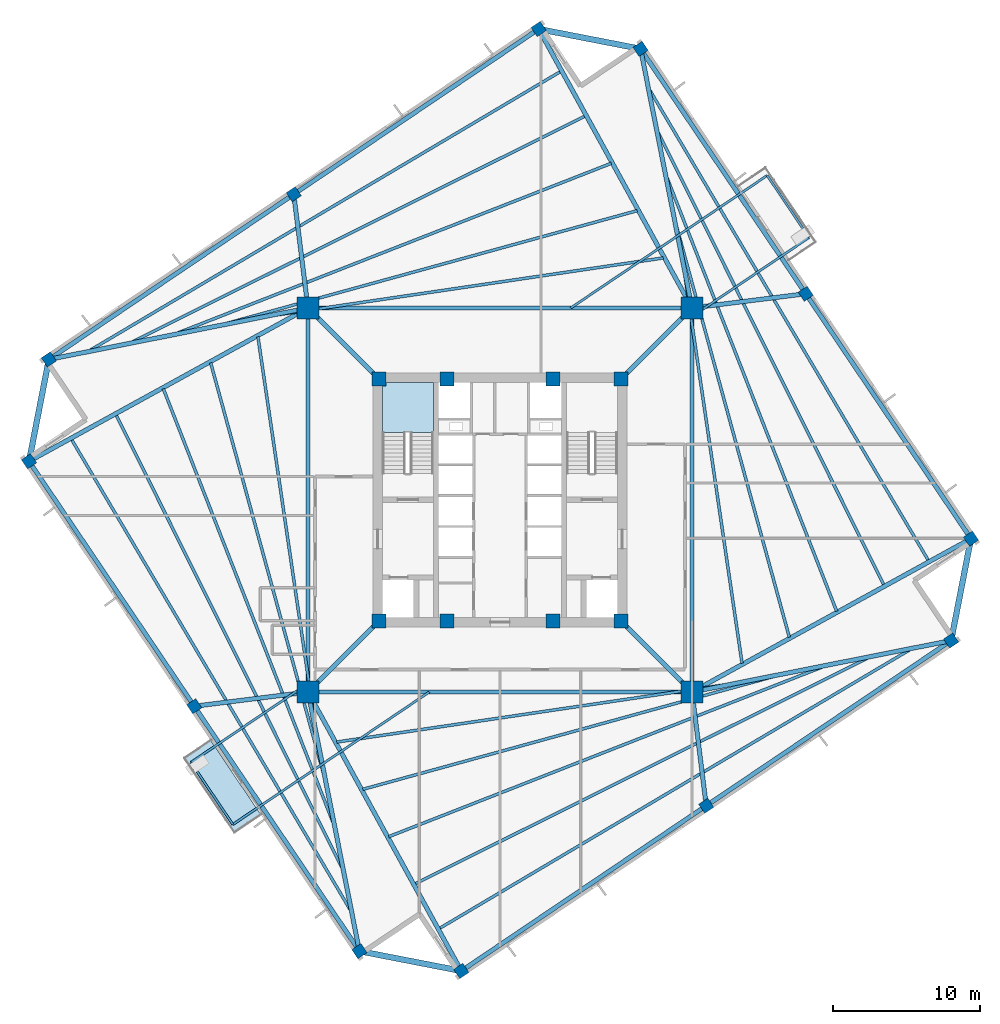
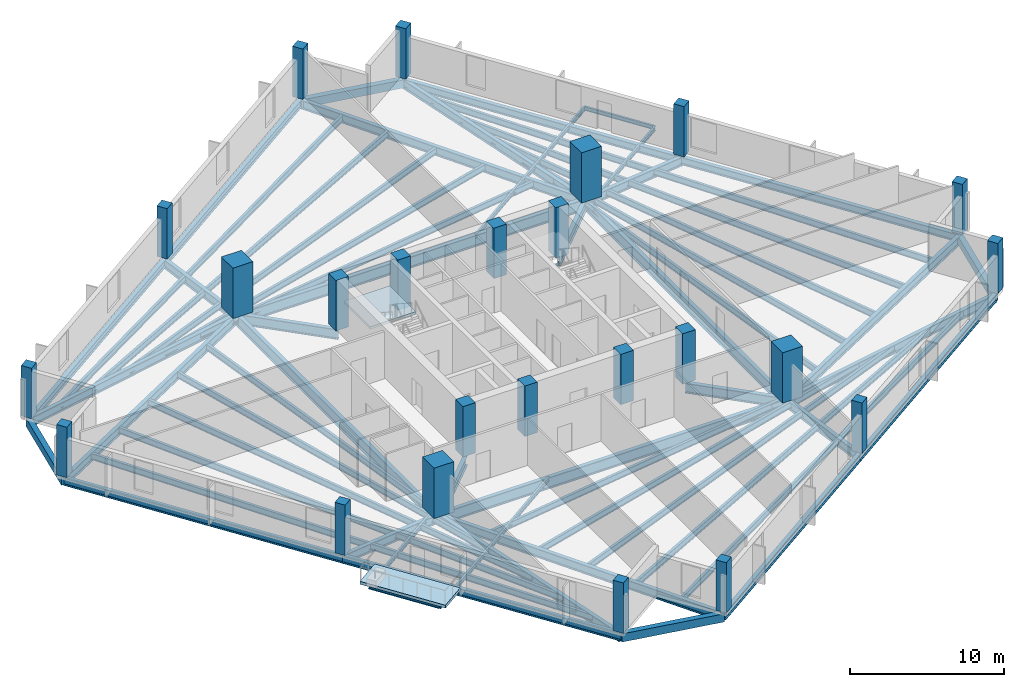
# One storey, part 1 of 9: 58 beams, 24 columns, 2 slabs, 1 element without a shape of its own.
"""IFC4 building model written with IfcOpenShell, lengths in metres."""

from ifc_helpers import new_model, si_unit, direction, frame, origin, origin_2d, place, context, subcontext, project, spatial, polyline, rectangle, i_section, outline, extrude, source, transform, mapped, material, layer, layer_set, material_profile, profile_set, type_object, element, aggregate, save


model = new_model("IFC4")

# Units and contexts
model_context = context("Model", 3, precision=1e-05, world=origin(), true_north=direction((0.0, 1.0)))
body_context = subcontext(model_context, "Body", "Model", "MODEL_VIEW")
ifc_project = project(units=[si_unit("LENGTHUNIT", "METRE"), si_unit("AREAUNIT", "SQUARE_METRE"), si_unit("VOLUMEUNIT", "CUBIC_METRE"), si_unit("PLANEANGLEUNIT", "RADIAN"), si_unit("MASSUNIT", "GRAM", prefix="KILO"), si_unit("THERMODYNAMICTEMPERATUREUNIT", "KELVIN")], contexts=[model_context])

# Site, building, storey
site_placement = place(None, origin())
site = spatial("IfcSite", under=ifc_project, at=site_placement, CompositionType="ELEMENT")
building_placement = place(site_placement, origin())
building = spatial("IfcBuilding", under=site, at=building_placement, Name="Kosmvard Interchange Tower", CompositionType="ELEMENT")
storey_placement = place(building_placement, frame((0.0, 0.0, 192.39990234375)))
storey = spatial("IfcBuildingStorey", under=building, at=storey_placement, Name="L46", CompositionType="ELEMENT", Elevation=192.39990234375)

# Columns
ifc_material_1 = material(Name="Concrete C60/75", Category="concrete")
ifc_material_profile_1 = material_profile(ifc_material_1, rectangle(XDim=0.949951171875, YDim=0.949951171875, at=origin_2d()), Name="CP 950x950")
ifc_profile_set_1 = profile_set([ifc_material_profile_1], Name="Concrete C60/75")
column_type_1 = type_object("IfcColumnType", Name="Core Boundary Pilaster 950x950 C60/75", PredefinedType="PILASTER", material=ifc_profile_set_1)
shared_shape_1 = source(origin(), body_context, "Body", "SweptSolid", [
    extrude(rectangle(XDim=0.949951171875, YDim=0.949951171875, at=origin_2d()), origin(), (0.0, 0.0, 1.0), 4.0),
])
for number, where, z_axis, x_axis, name in (
    (1, (-8.25, -8.25, 0.0), (0.0, 0.0, 1.0), (1.0, 0.0, 0.0), "L46 Core Pilaster CP1"),
    (2, (8.25, -8.25, 0.0), (0.0, 0.0, 1.0), (1.0, 0.0, 0.0), "L46 Core Pilaster CP2"),
    (3, (8.25, 8.25, 0.0), (0.0, 0.0, 1.0), (1.0, 0.0, 0.0), "L46 Core Pilaster CP3"),
    (4, (-8.25, 8.25, 0.0), (0.0, 0.0, 1.0), (1.0, 0.0, 0.0), "L46 Core Pilaster CP4"),
    (5, (-3.60009765625, -8.25, 0.0), (0.0, 0.0, 1.0), (1.0, 0.0, 0.0), "L46 Core Pilaster CP5"),
    (6, (3.60009765625, -8.25, 0.0), (0.0, 0.0, 1.0), (1.0, 0.0, 0.0), "L46 Core Pilaster CP6"),
    (7, (-3.60009765625, 8.25, 0.0), (0.0, 0.0, 1.0), (1.0, 0.0, 0.0), "L46 Core Pilaster CP7"),
    (8, (3.60009765625, 8.25, 0.0), (0.0, 0.0, 1.0), (1.0, 0.0, 0.0), "L46 Core Pilaster CP8"),
):
    element("IfcColumn", number, at=place(storey_placement, frame(where, z_axis=z_axis, x_axis=x_axis)), inside=storey, type_object=column_type_1, Name=name, PredefinedType="PILASTER", context=body_context, shape_type="MappedRepresentation", body=[
        mapped(shared_shape_1, transform((0.0, 0.0, 0.0), scale=1.0)),
    ])
ifc_material_profile_2 = material_profile(ifc_material_1, rectangle(XDim=1.5, YDim=1.5, at=origin_2d()), Name="MC 1500x1500")
ifc_profile_set_2 = profile_set([ifc_material_profile_2], Name="Concrete C60/75")
column_type_2 = type_object("IfcColumnType", Name="Composite Mega-Column 1500x1500 C60/75", PredefinedType="COLUMN", material=ifc_profile_set_2)
shared_shape_2 = source(origin(), body_context, "Body", "SweptSolid", [
    extrude(rectangle(XDim=1.5, YDim=1.5, at=origin_2d()), origin(), (0.0, 0.0, 1.0), 4.0),
])
for number, where, z_axis, x_axis, name in (
    (9, (-13.0810546875, -13.0810546875, 0.0), (0.0, 0.0, 1.0), (1.0, 0.0, 0.0), "L46 Corner Mega-Column MC1"),
    (10, (13.0810546875, -13.0810546875, 0.0), (0.0, 0.0, 1.0), (1.0, 0.0, 0.0), "L46 Corner Mega-Column MC2"),
    (11, (13.0810546875, 13.0810546875, 0.0), (0.0, 0.0, 1.0), (1.0, 0.0, 0.0), "L46 Corner Mega-Column MC3"),
    (12, (-13.0810546875, 13.0810546875, 0.0), (0.0, 0.0, 1.0), (1.0, 0.0, 0.0), "L46 Corner Mega-Column MC4"),
):
    element("IfcColumn", number, at=place(storey_placement, frame(where, z_axis=z_axis, x_axis=x_axis)), inside=storey, type_object=column_type_2, Name=name, PredefinedType="COLUMN", context=body_context, shape_type="MappedRepresentation", body=[
        mapped(shared_shape_2, transform((0.0, 0.0, 0.0), scale=1.0)),
    ])
ifc_material_2 = material(Name="Concrete C50/60", Category="concrete")
ifc_material_profile_3 = material_profile(ifc_material_2, rectangle(XDim=0.75, YDim=0.75, at=origin_2d()), Name="TC 750x750")
ifc_profile_set_3 = profile_set([ifc_material_profile_3], Name="Concrete C50/60")
column_type_3 = type_object("IfcColumnType", Name="Zone 3 Perimeter Pier Column 750x750 C50/60", PredefinedType="COLUMN", material=ifc_profile_set_3)
shared_shape_3 = source(origin(), body_context, "Body", "SweptSolid", [
    extrude(rectangle(XDim=0.75, YDim=0.75, at=origin_2d()), origin(), (0.0, 0.0, 1.0), 4.0),
])
for number, where, z_axis, x_axis, name in (
    (13, (-2.634765625, -32.083251953125, 0.0), (0.0, 0.0, 1.0), (0.829037572555, 0.559192903471, 0.0), "L46 Perimeter Pier Column TC-S1"),
    (14, (14.0498046875, -20.82958984375, 0.0), (0.0, 0.0, 1.0), (0.829037572555, 0.559192903471, 0.0), "L46 Perimeter Pier Column TC-S2"),
    (15, (30.734130859375, -9.575927734375, 0.0), (0.0, 0.0, 1.0), (0.829037572555, 0.559192903471, 0.0), "L46 Perimeter Pier Column TC-S3"),
    (16, (32.083251953125, -2.634765625, 0.0), (0.0, 0.0, 1.0), (0.829037572555, 0.559192903471, 0.0), "L46 Perimeter Pier Column TC-E1"),
    (17, (20.82958984375, 14.0498046875, 0.0), (0.0, 0.0, 1.0), (0.829037572555, 0.559192903471, 0.0), "L46 Perimeter Pier Column TC-E2"),
    (18, (9.575927734375, 30.734130859375, 0.0), (0.0, 0.0, 1.0), (0.829037572555, 0.559192903471, 0.0), "L46 Perimeter Pier Column TC-E3"),
    (19, (2.634765625, 32.083251953125, 0.0), (0.0, 0.0, 1.0), (0.829037572555, 0.559192903471, 0.0), "L46 Perimeter Pier Column TC-N1"),
    (20, (-14.0498046875, 20.82958984375, 0.0), (0.0, 0.0, 1.0), (0.829037572555, 0.559192903471, 0.0), "L46 Perimeter Pier Column TC-N2"),
    (21, (-30.734130859375, 9.575927734375, 0.0), (0.0, 0.0, 1.0), (0.829037572555, 0.559192903471, 0.0), "L46 Perimeter Pier Column TC-N3"),
    (22, (-32.083251953125, 2.634765625, 0.0), (0.0, 0.0, 1.0), (0.829037572555, 0.559192903471, 0.0), "L46 Perimeter Pier Column TC-W1"),
    (23, (-20.82958984375, -14.0498046875, 0.0), (0.0, 0.0, 1.0), (0.829037572555, 0.559192903471, 0.0), "L46 Perimeter Pier Column TC-W2"),
    (24, (-9.575927734375, -30.734130859375, 0.0), (0.0, 0.0, 1.0), (0.829037572555, 0.559192903471, 0.0), "L46 Perimeter Pier Column TC-W3"),
):
    element("IfcColumn", number, at=place(storey_placement, frame(where, z_axis=z_axis, x_axis=x_axis)), inside=storey, type_object=column_type_3, Name=name, PredefinedType="COLUMN", context=body_context, shape_type="MappedRepresentation", body=[
        mapped(shared_shape_3, transform((0.0, 0.0, 0.0), scale=1.0)),
    ])

# Beams
ifc_material_3 = material(Name="Steel S355", Category="steel")
ifc_material_profile_4 = material_profile(ifc_material_3, i_section(OverallWidth=0.14990234375, OverallDepth=0.300048828125, WebThickness=0.007080078125, FlangeThickness=0.0107421875, FilletRadius=0.014892578125, at=origin_2d()), Name="IPE 300")
ifc_profile_set_4 = profile_set([ifc_material_profile_4], Name="Steel S355")
beam_type_1 = type_object("IfcBeamType", Name="Balcony Edge Header Joist IPE 300 S355", PredefinedType="JOIST", material=ifc_profile_set_4)
shared_shape_4 = source(origin(), body_context, "Body", "SweptSolid", [
    extrude(i_section(OverallWidth=0.14990234375, OverallDepth=0.300048828125, WebThickness=0.007080078125, FlangeThickness=0.0107421875, FilletRadius=0.014892578125, at=origin_2d()), origin(), (0.0, 0.0, 1.0), 5.099853515625),
])
for number, where, z_axis, x_axis, name in (
    (25, (21.051513671875, 17.87841796875, -0.409912109375), (-0.559188346666, 0.82904064614, 0.0), (-0.82904064614, -0.559188346666, 0.0), "BM-L46-BJH1"),
    (26, (-21.051513671875, -17.87841796875, -0.409912109375), (0.559188346666, -0.82904064614, 0.0), (0.82904064614, 0.559188346666, 0.0), "BM-L46-BJH2"),
):
    element("IfcBeam", number, at=place(storey_placement, frame(where, z_axis=z_axis, x_axis=x_axis)), inside=storey, type_object=beam_type_1, Name=name, PredefinedType="JOIST", context=body_context, shape_type="MappedRepresentation", body=[
        mapped(shared_shape_4, transform((0.0, 0.0, 0.0), scale=1.0)),
    ])
ifc_material_profile_5 = material_profile(ifc_material_3, i_section(OverallWidth=0.300048828125, OverallDepth=0.800048828125, WebThickness=0.017578125, FlangeThickness=0.032958984375, FilletRadius=0.027099609375, at=origin_2d()), Name="HEB 800")
ifc_profile_set_5 = profile_set([ifc_material_profile_5], Name="Steel S355")
beam_type_2 = type_object("IfcBeamType", Name="Primary Mega-Frame Girder HEB 800 S355", PredefinedType="BEAM", material=ifc_profile_set_5)
shared_shape_5 = source(origin(), body_context, "Body", "SweptSolid", [
    extrude(i_section(OverallWidth=0.300048828125, OverallDepth=0.800048828125, WebThickness=0.017578125, FlangeThickness=0.032958984375, FilletRadius=0.027099609375, at=origin_2d()), origin(), (0.0, 0.0, 1.0), 6.83203125),
])
for number, where, z_axis, x_axis, name in (
    (27, (-8.25, -8.25, -0.659912109375), (-0.707106781187, -0.707106781187, 0.0), (0.707106781187, -0.707106781187, 0.0), "L46 Radial Mega-Frame Girder 1"),
    (28, (8.25, -8.25, -0.659912109375), (0.707106781187, -0.707106781187, 0.0), (0.707106781187, 0.707106781187, 0.0), "L46 Radial Mega-Frame Girder 2"),
    (29, (8.25, 8.25, -0.659912109375), (0.707106781187, 0.707106781187, 0.0), (-0.707106781187, 0.707106781187, 0.0), "L46 Radial Mega-Frame Girder 3"),
    (30, (-8.25, 8.25, -0.659912109375), (-0.707106781187, 0.707106781187, 0.0), (-0.707106781187, -0.707106781187, 0.0), "L46 Radial Mega-Frame Girder 4"),
):
    element("IfcBeam", number, at=place(storey_placement, frame(where, z_axis=z_axis, x_axis=x_axis)), inside=storey, type_object=beam_type_2, Name=name, PredefinedType="BEAM", context=body_context, shape_type="MappedRepresentation", body=[
        mapped(shared_shape_5, transform((0.0, 0.0, 0.0), scale=1.0)),
    ])
ifc_material_profile_6 = material_profile(ifc_material_3, i_section(OverallWidth=0.300048828125, OverallDepth=0.89990234375, WebThickness=0.0185546875, FlangeThickness=0.034912109375, FilletRadius=0.030029296875, at=origin_2d()), Name="HEB 900")
ifc_profile_set_6 = profile_set([ifc_material_profile_6], Name="Steel S355")
beam_type_3 = type_object("IfcBeamType", Name="Mega-Column Ring Girder HEB 900 S355", PredefinedType="BEAM", material=ifc_profile_set_6)
shared_shape_6 = source(origin(), body_context, "Body", "SweptSolid", [
    extrude(i_section(OverallWidth=0.300048828125, OverallDepth=0.89990234375, WebThickness=0.0185546875, FlangeThickness=0.034912109375, FilletRadius=0.030029296875, at=origin_2d()), origin(), (0.0, 0.0, 1.0), 26.162109375),
])
for number, where, z_axis, x_axis, name in (
    (31, (-13.0810546875, -13.0810546875, -0.7099609375), (1.0, 0.0, 0.0), (0.0, 1.0, 0.0), "L46 Mega-Column Ring Girder 1"),
    (32, (13.0810546875, -13.0810546875, -0.7099609375), (0.0, 1.0, 0.0), (-1.0, 0.0, 0.0), "L46 Mega-Column Ring Girder 2"),
    (33, (13.0810546875, 13.0810546875, -0.7099609375), (-1.0, 0.0, 0.0), (0.0, -1.0, 0.0), "L46 Mega-Column Ring Girder 3"),
    (34, (-13.0810546875, 13.0810546875, -0.7099609375), (0.0, -1.0, 0.0), (1.0, 0.0, 0.0), "L46 Mega-Column Ring Girder 4"),
):
    element("IfcBeam", number, at=place(storey_placement, frame(where, z_axis=z_axis, x_axis=x_axis)), inside=storey, type_object=beam_type_3, Name=name, PredefinedType="BEAM", context=body_context, shape_type="MappedRepresentation", body=[
        mapped(shared_shape_6, transform((0.0, 0.0, 0.0), scale=1.0)),
    ])
ifc_material_profile_7 = material_profile(ifc_material_3, i_section(OverallWidth=0.300048828125, OverallDepth=0.60009765625, WebThickness=0.015380859375, FlangeThickness=0.030029296875, FilletRadius=0.027099609375, at=origin_2d()), Name="HEB 600")
ifc_profile_set_7 = profile_set([ifc_material_profile_7], Name="Steel S355")
beam_type_4 = type_object("IfcBeamType", Name="Perimeter Tie Girder HEB 600 S355", PredefinedType="BEAM", material=ifc_profile_set_7)
shared_shape_7 = source(origin(), body_context, "Body", "SweptSolid", [
    extrude(i_section(OverallWidth=0.300048828125, OverallDepth=0.60009765625, WebThickness=0.015380859375, FlangeThickness=0.030029296875, FilletRadius=0.027099609375, at=origin_2d()), origin(), (0.0, 0.0, 1.0), 20.125),
])
for number, where, z_axis, x_axis, name in (
    (35, (-2.634765625, -32.083251953125, -0.559814453125), (0.82904270175, 0.559185299051, 0.0), (-0.559185299051, 0.82904270175, 0.0), "BM-L46-PR01"),
    (36, (14.0498046875, -20.82958984375, -0.559814453125), (0.829038908426, 0.559190922956, 0.0), (-0.559190922956, 0.829038908426, 0.0), "BM-L46-PR02"),
    (37, (32.083251953125, -2.634765625, -0.559814453125), (-0.559185299051, 0.82904270175, 0.0), (-0.82904270175, -0.559185299051, 0.0), "BM-L46-PR04"),
    (38, (20.82958984375, 14.0498046875, -0.559814453125), (-0.559190922956, 0.829038908426, 0.0), (-0.829038908426, -0.559190922956, 0.0), "BM-L46-PR05"),
    (39, (2.634765625, 32.083251953125, -0.559814453125), (-0.82904270175, -0.559185299051, 0.0), (0.559185299051, -0.82904270175, 0.0), "BM-L46-PR07"),
    (40, (-14.0498046875, 20.82958984375, -0.559814453125), (-0.829038908426, -0.559190922956, 0.0), (0.559190922956, -0.829038908426, 0.0), "BM-L46-PR08"),
    (41, (-32.083251953125, 2.634765625, -0.559814453125), (0.559185299051, -0.82904270175, 0.0), (0.82904270175, 0.559185299051, 0.0), "BM-L46-PR10"),
    (42, (-20.82958984375, -14.0498046875, -0.559814453125), (0.559190922956, -0.829038908426, 0.0), (0.829038908426, 0.559190922956, 0.0), "BM-L46-PR11"),
):
    element("IfcBeam", number, at=place(storey_placement, frame(where, z_axis=z_axis, x_axis=x_axis)), inside=storey, type_object=beam_type_4, Name=name, PredefinedType="BEAM", context=body_context, shape_type="MappedRepresentation", body=[
        mapped(shared_shape_7, transform((0.0, 0.0, 0.0), scale=1.0)),
    ])
ifc_material_profile_8 = material_profile(ifc_material_3, i_section(OverallWidth=0.300048828125, OverallDepth=0.699951171875, WebThickness=0.01708984375, FlangeThickness=0.031982421875, FilletRadius=0.027099609375, at=origin_2d()), Name="HEB 700")
ifc_profile_set_8 = profile_set([ifc_material_profile_8], Name="Steel S355")
beam_type_5 = type_object("IfcBeamType", Name="Primary Floor Girder HEB 700 S355", PredefinedType="BEAM", material=ifc_profile_set_8)
shared_shape_8 = source(origin(), body_context, "Body", "SweptSolid", [
    extrude(i_section(OverallWidth=0.300048828125, OverallDepth=0.699951171875, WebThickness=0.01708984375, FlangeThickness=0.031982421875, FilletRadius=0.027099609375, at=origin_2d()), origin(), (0.0, 0.0, 1.0), 21.684326171875),
])
for number, where, z_axis, x_axis, name in (
    (43, (-13.0810546875, -13.0810546875, -0.60986328125), (0.48174456271, -0.876311689012, 0.0), (0.876311689012, 0.48174456271, 0.0), "BM-L46-RD01"),
    (44, (13.0810546875, -13.0810546875, -0.60986328125), (0.876311689012, 0.48174456271, 0.0), (-0.48174456271, 0.876311689012, 0.0), "BM-L46-RD04"),
    (45, (13.0810546875, 13.0810546875, -0.60986328125), (-0.48174456271, 0.876311689012, 0.0), (-0.876311689012, -0.48174456271, 0.0), "BM-L46-RD07"),
    (46, (-13.0810546875, 13.0810546875, -0.60986328125), (-0.876311689012, -0.48174456271, 0.0), (0.48174456271, -0.876311689012, 0.0), "BM-L46-RD10"),
):
    element("IfcBeam", number, at=place(storey_placement, frame(where, z_axis=z_axis, x_axis=x_axis)), inside=storey, type_object=beam_type_5, Name=name, PredefinedType="BEAM", context=body_context, shape_type="MappedRepresentation", body=[
        mapped(shared_shape_8, transform((0.0, 0.0, 0.0), scale=1.0)),
    ])
shared_shape_9 = source(origin(), body_context, "Body", "SweptSolid", [
    extrude(i_section(OverallWidth=0.300048828125, OverallDepth=0.699951171875, WebThickness=0.01708984375, FlangeThickness=0.031982421875, FilletRadius=0.027099609375, at=origin_2d()), origin(), (0.0, 0.0, 1.0), 7.808837890625),
])
for number, where, z_axis, x_axis, name in (
    (47, (13.0810546875, -13.0810546875, -0.60986328125), (0.12405782224, -0.992274990485, 0.0), (0.992274990485, 0.12405782224, 0.0), "BM-L46-RD02"),
    (48, (13.0810546875, 13.0810546875, -0.60986328125), (0.992274990485, 0.12405782224, 0.0), (-0.12405782224, 0.992274990485, 0.0), "BM-L46-RD05"),
    (49, (-13.0810546875, 13.0810546875, -0.60986328125), (-0.12405782224, 0.992274990485, 0.0), (-0.992274990485, -0.12405782224, 0.0), "BM-L46-RD08"),
    (50, (-13.0810546875, -13.0810546875, -0.60986328125), (-0.992274990485, -0.12405782224, 0.0), (0.12405782224, -0.992274990485, 0.0), "BM-L46-RD11"),
):
    element("IfcBeam", number, at=place(storey_placement, frame(where, z_axis=z_axis, x_axis=x_axis)), inside=storey, type_object=beam_type_5, Name=name, PredefinedType="BEAM", context=body_context, shape_type="MappedRepresentation", body=[
        mapped(shared_shape_9, transform((0.0, 0.0, 0.0), scale=1.0)),
    ])
ifc_material_4 = material(Name="Precast concrete C45/55", Category="concrete")
ifc_material_profile_9 = material_profile(ifc_material_4, rectangle(XDim=0.39990234375, YDim=0.64990234375, at=origin_2d()), Name="SL 400x650")
ifc_profile_set_9 = profile_set([ifc_material_profile_9], Name="Precast concrete C45/55")
beam_type_6 = type_object("IfcBeamType", Name="Precast Spandrel Lintel 400x650 C45/55", PredefinedType="LINTEL", material=ifc_profile_set_9)
shared_shape_10 = source(origin(), body_context, "Body", "SweptSolid", [
    extrude(rectangle(XDim=0.39990234375, YDim=0.64990234375, at=origin_2d()), origin(), (0.0, 0.0, 1.0), 7.071044921875),
])
for number, where, z_axis, x_axis, name in (
    (51, (30.734130859375, -9.575927734375, -0.5849609375), (0.190794803533, 0.981629941956, 0.0), (-0.981629941956, 0.190794803533, 0.0), "BM-L46-SL1"),
    (52, (9.575927734375, 30.734130859375, -0.5849609375), (-0.981629941956, 0.190794803533, 0.0), (-0.190794803533, -0.981629941956, 0.0), "BM-L46-SL2"),
    (53, (-30.734130859375, 9.575927734375, -0.5849609375), (-0.190794803533, -0.981629941956, 0.0), (0.981629941956, -0.190794803533, 0.0), "BM-L46-SL3"),
    (54, (-9.575927734375, -30.734130859375, -0.5849609375), (0.981629941956, -0.190794803533, 0.0), (0.190794803533, 0.981629941956, 0.0), "BM-L46-SL4"),
):
    element("IfcBeam", number, at=place(storey_placement, frame(where, z_axis=z_axis, x_axis=x_axis)), inside=storey, type_object=beam_type_6, Name=name, PredefinedType="LINTEL", context=body_context, shape_type="MappedRepresentation", body=[
        mapped(shared_shape_10, transform((0.0, 0.0, 0.0), scale=1.0)),
    ])
shared_shape_11 = source(origin(), body_context, "Body", "SweptSolid", [
    extrude(i_section(OverallWidth=0.300048828125, OverallDepth=0.699951171875, WebThickness=0.01708984375, FlangeThickness=0.031982421875, FilletRadius=0.027099609375, at=origin_2d()), origin(), (0.0, 0.0, 1.0), 17.997802734375),
])
for number, where, z_axis, x_axis, name in (
    (55, (13.0810546875, -13.0810546875, -0.60986328125), (0.980852075755, 0.194754218148, 0.0), (-0.194754218148, 0.980852075755, 0.0), "BM-L46-RD03"),
    (56, (13.0810546875, 13.0810546875, -0.60986328125), (-0.194754218148, 0.980852075755, 0.0), (-0.980852075755, -0.194754218148, 0.0), "BM-L46-RD06"),
    (57, (-13.0810546875, 13.0810546875, -0.60986328125), (-0.980852075755, -0.194754218148, 0.0), (0.194754218148, -0.980852075755, 0.0), "BM-L46-RD09"),
    (58, (-13.0810546875, -13.0810546875, -0.60986328125), (0.194754218148, -0.980852075755, 0.0), (0.980852075755, 0.194754218148, 0.0), "BM-L46-RD12"),
):
    element("IfcBeam", number, at=place(storey_placement, frame(where, z_axis=z_axis, x_axis=x_axis)), inside=storey, type_object=beam_type_5, Name=name, PredefinedType="BEAM", context=body_context, shape_type="MappedRepresentation", body=[
        mapped(shared_shape_11, transform((0.0, 0.0, 0.0), scale=1.0)),
    ])
ifc_material_profile_10 = material_profile(ifc_material_3, i_section(OverallWidth=0.199951171875, OverallDepth=0.5, WebThickness=0.01025390625, FlangeThickness=0.01611328125, FilletRadius=0.02099609375, at=origin_2d()), Name="IPE 500")
ifc_profile_set_10 = profile_set([ifc_material_profile_10], Name="Steel S355")
beam_type_7 = type_object("IfcBeamType", Name="Standard Floor Joist IPE 500 S355", PredefinedType="JOIST", material=ifc_profile_set_10)
shared_shape_12 = source(origin(), body_context, "Body", "SweptSolid", [
    extrude(i_section(OverallWidth=0.199951171875, OverallDepth=0.5, WebThickness=0.01025390625, FlangeThickness=0.01611328125, FilletRadius=0.02099609375, at=origin_2d()), origin(), (0.0, 0.0, 1.0), 27.5966796875),
])
for number, where, z_axis, x_axis, name in (
    (59, (-11.12158203125, -16.48974609375, -0.510009765625), (0.989290070387, 0.145962860463, 0.0), (-0.145962860463, 0.989290070387, 0.0), "BM-L46-FJ01"),
    (60, (16.48974609375, -11.12158203125, -0.510009765625), (-0.145962860463, 0.989290070387, 0.0), (-0.989290070387, -0.145962860463, 0.0), "BM-L46-FJ06"),
    (61, (11.12158203125, 16.48974609375, -0.510009765625), (-0.989290070387, -0.145962860463, 0.0), (0.145962860463, -0.989290070387, 0.0), "BM-L46-FJ11"),
    (62, (-16.48974609375, 11.12158203125, -0.510009765625), (0.145962860463, -0.989290070387, 0.0), (0.989290070387, 0.145962860463, 0.0), "BM-L46-FJ16"),
):
    element("IfcBeam", number, at=place(storey_placement, frame(where, z_axis=z_axis, x_axis=x_axis)), inside=storey, type_object=beam_type_7, Name=name, PredefinedType="JOIST", context=body_context, shape_type="MappedRepresentation", body=[
        mapped(shared_shape_12, transform((0.0, 0.0, 0.0), scale=1.0)),
    ])
shared_shape_13 = source(origin(), body_context, "Body", "SweptSolid", [
    extrude(i_section(OverallWidth=0.199951171875, OverallDepth=0.5, WebThickness=0.01025390625, FlangeThickness=0.01611328125, FilletRadius=0.02099609375, at=origin_2d()), origin(), (0.0, 0.0, 1.0), 29.58642578125),
])
for number, where, z_axis, x_axis, name in (
    (63, (-9.34765625, -19.710693359375, -0.510009765625), (0.964296527467, 0.264824861209, 0.0), (-0.264824861209, 0.964296527467, 0.0), "BM-L46-FJ02"),
    (64, (19.710693359375, -9.34765625, -0.510009765625), (-0.264824861209, 0.964296527467, 0.0), (-0.964296527467, -0.264824861209, 0.0), "BM-L46-FJ07"),
    (65, (9.34765625, 19.710693359375, -0.510009765625), (-0.964296527467, -0.264824861209, 0.0), (0.264824861209, -0.964296527467, 0.0), "BM-L46-FJ12"),
    (66, (-19.710693359375, 9.34765625, -0.510009765625), (0.264824861209, -0.964296527467, 0.0), (0.964296527467, 0.264824861209, 0.0), "BM-L46-FJ17"),
):
    element("IfcBeam", number, at=place(storey_placement, frame(where, z_axis=z_axis, x_axis=x_axis)), inside=storey, type_object=beam_type_7, Name=name, PredefinedType="JOIST", context=body_context, shape_type="MappedRepresentation", body=[
        mapped(shared_shape_13, transform((0.0, 0.0, 0.0), scale=1.0)),
    ])
shared_shape_14 = source(origin(), body_context, "Body", "SweptSolid", [
    extrude(i_section(OverallWidth=0.199951171875, OverallDepth=0.5, WebThickness=0.01025390625, FlangeThickness=0.01611328125, FilletRadius=0.02099609375, at=origin_2d()), origin(), (0.0, 0.0, 1.0), 31.9580078125),
])
for number, where, z_axis, x_axis, name in (
    (67, (-7.574462890625, -22.93310546875, -0.510009765625), (0.931239172846, 0.364408565976, 0.0), (-0.364408565976, 0.931239172846, 0.0), "BM-L46-FJ03"),
    (68, (22.93310546875, -7.574462890625, -0.510009765625), (-0.364408565976, 0.931239172846, 0.0), (-0.931239172846, -0.364408565976, 0.0), "BM-L46-FJ08"),
    (69, (7.574462890625, 22.93310546875, -0.510009765625), (-0.931239172846, -0.364408565976, 0.0), (0.364408565976, -0.931239172846, 0.0), "BM-L46-FJ13"),
    (70, (-22.93310546875, 7.574462890625, -0.510009765625), (0.364408565976, -0.931239172846, 0.0), (0.931239172846, 0.364408565976, 0.0), "BM-L46-FJ18"),
):
    element("IfcBeam", number, at=place(storey_placement, frame(where, z_axis=z_axis, x_axis=x_axis)), inside=storey, type_object=beam_type_7, Name=name, PredefinedType="JOIST", context=body_context, shape_type="MappedRepresentation", body=[
        mapped(shared_shape_14, transform((0.0, 0.0, 0.0), scale=1.0)),
    ])
shared_shape_15 = source(origin(), body_context, "Body", "SweptSolid", [
    extrude(i_section(OverallWidth=0.199951171875, OverallDepth=0.5, WebThickness=0.01025390625, FlangeThickness=0.01611328125, FilletRadius=0.02099609375, at=origin_2d()), origin(), (0.0, 0.0, 1.0), 34.633056640625),
])
for number, where, z_axis, x_axis, name in (
    (71, (-5.801513671875, -26.156982421875, -0.510009765625), (0.894853974707, 0.446359007921, 0.0), (-0.446359007921, 0.894853974707, 0.0), "BM-L46-FJ04"),
    (72, (26.156982421875, -5.801513671875, -0.510009765625), (-0.446359007921, 0.894853974707, 0.0), (-0.894853974707, -0.446359007921, 0.0), "BM-L46-FJ09"),
    (73, (5.801513671875, 26.156982421875, -0.510009765625), (-0.894853974707, -0.446359007921, 0.0), (0.446359007921, -0.894853974707, 0.0), "BM-L46-FJ14"),
    (74, (-26.156982421875, 5.801513671875, -0.510009765625), (0.446359007921, -0.894853974707, 0.0), (0.894853974707, 0.446359007921, 0.0), "BM-L46-FJ19"),
):
    element("IfcBeam", number, at=place(storey_placement, frame(where, z_axis=z_axis, x_axis=x_axis)), inside=storey, type_object=beam_type_7, Name=name, PredefinedType="JOIST", context=body_context, shape_type="MappedRepresentation", body=[
        mapped(shared_shape_15, transform((0.0, 0.0, 0.0), scale=1.0)),
    ])
shared_shape_16 = source(origin(), body_context, "Body", "SweptSolid", [
    extrude(i_section(OverallWidth=0.199951171875, OverallDepth=0.5, WebThickness=0.01025390625, FlangeThickness=0.01611328125, FilletRadius=0.02099609375, at=origin_2d()), origin(), (0.0, 0.0, 1.0), 37.3701171875),
])
for number, where, z_axis, x_axis, name in (
    (75, (-4.1328125, -29.192138671875, -0.510009765625), (0.860316577026, 0.509760127212, 0.0), (-0.509760127212, 0.860316577026, 0.0), "BM-L46-FJ05"),
    (76, (29.192138671875, -4.1328125, -0.510009765625), (-0.509760127212, 0.860316577026, 0.0), (-0.860316577026, -0.509760127212, 0.0), "BM-L46-FJ10"),
    (77, (4.1328125, 29.192138671875, -0.510009765625), (-0.860316577026, -0.509760127212, 0.0), (0.509760127212, -0.860316577026, 0.0), "BM-L46-FJ15"),
    (78, (-29.192138671875, 4.1328125, -0.510009765625), (0.509760127212, -0.860316577026, 0.0), (0.860316577026, 0.509760127212, 0.0), "BM-L46-FJ20"),
):
    element("IfcBeam", number, at=place(storey_placement, frame(where, z_axis=z_axis, x_axis=x_axis)), inside=storey, type_object=beam_type_7, Name=name, PredefinedType="JOIST", context=body_context, shape_type="MappedRepresentation", body=[
        mapped(shared_shape_16, transform((0.0, 0.0, 0.0), scale=1.0)),
    ])
ifc_material_profile_11 = material_profile(ifc_material_3, i_section(OverallWidth=0.159912109375, OverallDepth=0.330078125, WebThickness=0.007568359375, FlangeThickness=0.011474609375, FilletRadius=0.01806640625, at=origin_2d()), Name="IPE 330")
ifc_profile_set_11 = profile_set([ifc_material_profile_11], Name="Steel S355")
beam_type_8 = type_object("IfcBeamType", Name="Balcony Cantilever Joist IPE 330 S355", PredefinedType="JOIST", material=ifc_profile_set_11)
shared_shape_17 = source(origin(), body_context, "Body", "SweptSolid", [
    extrude(i_section(OverallWidth=0.159912109375, OverallDepth=0.330078125, WebThickness=0.007568359375, FlangeThickness=0.011474609375, FilletRadius=0.01806640625, at=origin_2d()), origin(), (0.0, 0.0, 1.0), 9.6142578125),
])
for number, where, z_axis, x_axis, name in (
    (79, (13.0810546875, 12.502197265625, -0.4248046875), (0.829033800065, 0.559198496377, 0.0), (-0.559198496377, 0.829033800065, 0.0), "BM-L46-BJ1"),
    (80, (-13.0810546875, -12.502197265625, -0.4248046875), (-0.829033800065, -0.559198496377, 0.0), (0.559198496377, -0.829033800065, 0.0), "BM-L46-BJ2"),
):
    element("IfcBeam", number, at=place(storey_placement, frame(where, z_axis=z_axis, x_axis=x_axis)), inside=storey, type_object=beam_type_8, Name=name, PredefinedType="JOIST", context=body_context, shape_type="MappedRepresentation", body=[
        mapped(shared_shape_17, transform((0.0, 0.0, 0.0), scale=1.0)),
    ])
shared_shape_18 = source(origin(), body_context, "Body", "SweptSolid", [
    extrude(i_section(OverallWidth=0.159912109375, OverallDepth=0.330078125, WebThickness=0.007568359375, FlangeThickness=0.011474609375, FilletRadius=0.01806640625, at=origin_2d()), origin(), (0.0, 0.0, 1.0), 16.14013671875),
])
for number, where, z_axis, x_axis, name in (
    (81, (4.81884765625, 13.0810546875, -0.4248046875), (0.829040817826, 0.559188092129, 0.0), (-0.559188092129, 0.829040817826, 0.0), "BM-L46-BJB1"),
    (82, (-4.81884765625, -13.0810546875, -0.4248046875), (-0.829040817826, -0.559188092129, 0.0), (0.559188092129, -0.829040817826, 0.0), "BM-L46-BJB2"),
):
    element("IfcBeam", number, at=place(storey_placement, frame(where, z_axis=z_axis, x_axis=x_axis)), inside=storey, type_object=beam_type_8, Name=name, PredefinedType="JOIST", context=body_context, shape_type="MappedRepresentation", body=[
        mapped(shared_shape_18, transform((0.0, 0.0, 0.0), scale=1.0)),
    ])

# Stair, slab
stair_type = type_object("IfcStairType", Name="Dog-Leg Core Exit Stair H4000 C50/60", PredefinedType="HALF_TURN_STAIR", material=ifc_material_2)
stair_placement = place(storey_placement, origin())
stair = element("IfcStair", 83, at=stair_placement, inside=storey, type_object=stair_type, Name="L46 Protected Exit Stair ST-1", PredefinedType="HALF_TURN_STAIR")
ifc_layer_1 = layer(ifc_material_2, 0.199951171875, Name="Concrete C50/60")
ifc_layer_set_1 = layer_set([ifc_layer_1], Name="Concrete C50/60")
slab_type_1 = type_object("IfcSlabType", Name="Stair Half-Landing Slab 200 C50/60", PredefinedType="LANDING", material=ifc_layer_set_1)
slab_1_placement = place(storey_placement, frame((0.0, 0.0, 1.800048828125)))
slab_1 = element("IfcSlab", 84, at=slab_1_placement, type_object=slab_type_1, Name="ST-1 landing 1", PredefinedType="LANDING", context=body_context, shape_type="SweptSolid", body=[
    extrude(outline(polyline([(-4.5400390625, 4.60009765625), (-4.5400390625, 8.0), (-8.0, 8.0), (-8.0, 4.60009765625), (-4.5400390625, 4.60009765625)])), origin(), (0.0, 0.0, 1.0), 0.199951171875),
])
aggregate(stair, [slab_1])

# Slab
ifc_layer_2 = layer(ifc_material_2, 0.22998046875, Name="Concrete C50/60")
ifc_layer_set_2 = layer_set([ifc_layer_2], Name="Concrete C50/60")
slab_type_2 = type_object("IfcSlabType", Name="Tree-Planter Cantilever Balcony Slab 230 C50/60", PredefinedType="FLOOR", material=ifc_layer_set_2)
slab_2_placement = place(storey_placement, frame((0.0, 0.0, -0.22998046875)))
element("IfcSlab", 85, at=slab_2_placement, inside=storey, type_object=slab_type_2, Name="L46 Outdoor Terrace Balcony Slab BAL-L46-W", PredefinedType="FLOOR", context=body_context, shape_type="SweptSolid", body=[
    extrude(outline(polyline([(-18.099365234375, -22.702392578125), (-16.275390625, -21.47216796875), (-19.742431640625, -16.33203125), (-21.56640625, -17.562255859375), (-18.099365234375, -22.702392578125)])), origin(), (0.0, 0.0, 1.0), 0.22998046875),
])

save(model, "model.ifc")
